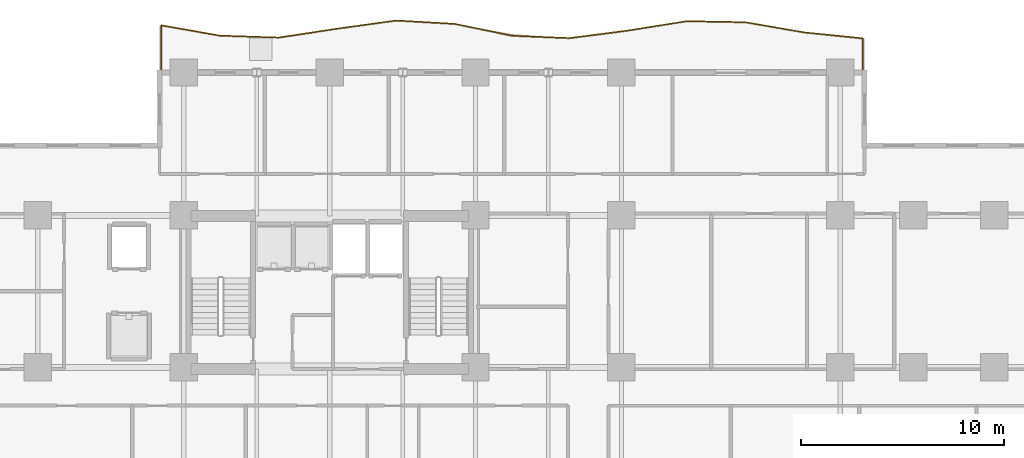
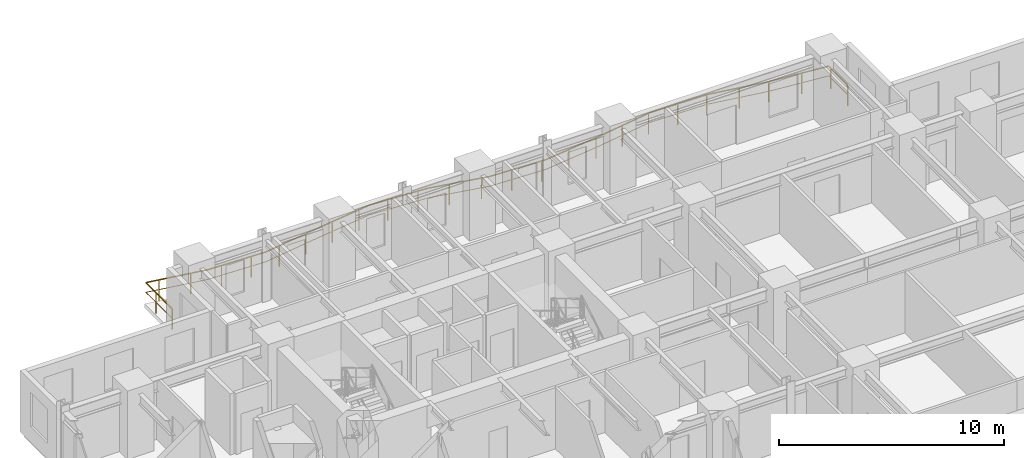
# One storey, part 11 of 12: 1 railing.
"""IFC4 building model written with IfcOpenShell, lengths in metres."""

from ifc_helpers import new_model, si_unit, direction, frame, origin, origin_2d, place, context, subcontext, project, spatial, rectangle, extrude, material, type_object, element, save


model = new_model("IFC4")

# Units and contexts
model_context = context("Model", 3, precision=1e-05, world=origin(), true_north=direction((0.0, 1.0)))
body_context = subcontext(model_context, "Body", "Model", "MODEL_VIEW")
ifc_project = project(units=[si_unit("LENGTHUNIT", "METRE"), si_unit("AREAUNIT", "SQUARE_METRE"), si_unit("VOLUMEUNIT", "CUBIC_METRE"), si_unit("PLANEANGLEUNIT", "RADIAN"), si_unit("MASSUNIT", "GRAM", prefix="KILO")], contexts=[model_context])

# Site, building, storey
site_placement = place(None, origin())
site = spatial("IfcSite", under=ifc_project, at=site_placement, CompositionType="ELEMENT")
building_placement = place(site_placement, origin())
building = spatial("IfcBuilding", under=site, at=building_placement, Name="Kaliganga Portal Commons", CompositionType="ELEMENT")
storey_placement = place(building_placement, frame((0.0, 0.0, 69.699951171875)))
storey = spatial("IfcBuildingStorey", under=building, at=storey_placement, Name="L17", CompositionType="ELEMENT", Elevation=69.699951171875)

# Railing
ifc_material = material(Name="Laminated Safety Glass and Stainless Steel 316", Category="steel")
railing_type = type_object("IfcRailingType", Name="RLG-BAL-1150", PredefinedType="BALUSTRADE", material=ifc_material)
railing_placement = place(storey_placement, frame((47.92041015625, 43.20849609375, 0.0)))
element("IfcRailing", 1, at=railing_placement, inside=storey, type_object=railing_type, Name="Balcony Guardrail L17 balc_north", PredefinedType="BALUSTRADE", context=body_context, shape_type="SweptSolid", body=[
    extrude(rectangle(XDim=0.048095703125, YDim=0.048095703125, at=origin_2d()), frame((0.0, 0.0, 1.1259765625), z_axis=(-0.000290866771, 0.999999957698, 0.0), x_axis=(-0.999999957698, -0.000290866771, 0.0)), (0.0, 0.0, 1.0), 1.6787109375),
    extrude(rectangle(XDim=0.028076171875, YDim=0.028076171875, at=origin_2d()), frame((0.0, 0.0, 0.597900390625), z_axis=(-0.000290866771, 0.999999957698, 0.0), x_axis=(-0.999999957698, -0.000290866771, 0.0)), (0.0, 0.0, 1.0), 1.6787109375),
    extrude(rectangle(XDim=0.048095703125, YDim=0.048095703125, at=origin_2d()), frame((-0.00048828125, 1.6787109375, 1.1259765625), z_axis=(-0.994834487762, 0.101510304695, 0.0), x_axis=(-0.101510304695, -0.994834487762, 0.0)), (0.0, 0.0, 1.0), 2.9150390625),
    extrude(rectangle(XDim=0.028076171875, YDim=0.028076171875, at=origin_2d()), frame((-0.00048828125, 1.6787109375, 0.597900390625), z_axis=(-0.994834487762, 0.101510304695, 0.0), x_axis=(-0.101510304695, -0.994834487762, 0.0)), (0.0, 0.0, 1.0), 2.9150390625),
    extrude(rectangle(XDim=0.048095703125, YDim=0.048095703125, at=origin_2d()), frame((-2.900390625, 1.974609375, 1.1259765625), z_axis=(-0.985375695281, 0.170395830789, 0.0), x_axis=(-0.170395830789, -0.985375695281, 0.0)), (0.0, 0.0, 1.0), 2.94287109375),
    extrude(rectangle(XDim=0.028076171875, YDim=0.028076171875, at=origin_2d()), frame((-2.900390625, 1.974609375, 0.597900390625), z_axis=(-0.985375695281, 0.170395830789, 0.0), x_axis=(-0.170395830789, -0.985375695281, 0.0)), (0.0, 0.0, 1.0), 2.94287109375),
    extrude(rectangle(XDim=0.048095703125, YDim=0.048095703125, at=origin_2d()), frame((-5.80029296875, 2.47607421875, 1.1259765625), z_axis=(-0.999836222748, 0.018097725871, 0.0), x_axis=(-0.018097725871, -0.999836222748, 0.0)), (0.0, 0.0, 1.0), 2.900390625),
    extrude(rectangle(XDim=0.028076171875, YDim=0.028076171875, at=origin_2d()), frame((-5.80029296875, 2.47607421875, 0.597900390625), z_axis=(-0.999836222748, 0.018097725871, 0.0), x_axis=(-0.018097725871, -0.999836222748, 0.0)), (0.0, 0.0, 1.0), 2.900390625),
    extrude(rectangle(XDim=0.048095703125, YDim=0.048095703125, at=origin_2d()), frame((-8.7001953125, 2.528564453125, 1.1259765625), z_axis=(-0.987448930145, -0.157938628443, 0.0), x_axis=(0.157938628443, -0.987448930145, 0.0)), (0.0, 0.0, 1.0), 2.93701171875),
    extrude(rectangle(XDim=0.028076171875, YDim=0.028076171875, at=origin_2d()), frame((-8.7001953125, 2.528564453125, 0.597900390625), z_axis=(-0.987448930145, -0.157938628443, 0.0), x_axis=(0.157938628443, -0.987448930145, 0.0)), (0.0, 0.0, 1.0), 2.93701171875),
    extrude(rectangle(XDim=0.048095703125, YDim=0.048095703125, at=origin_2d()), frame((-11.600341796875, 2.064697265625, 1.1259765625), z_axis=(-0.991827022196, -0.127589803832, 0.0), x_axis=(0.127589803832, -0.991827022196, 0.0)), (0.0, 0.0, 1.0), 2.923828125),
    extrude(rectangle(XDim=0.028076171875, YDim=0.028076171875, at=origin_2d()), frame((-11.600341796875, 2.064697265625, 0.597900390625), z_axis=(-0.991827022196, -0.127589803832, 0.0), x_axis=(0.127589803832, -0.991827022196, 0.0)), (0.0, 0.0, 1.0), 2.923828125),
    extrude(rectangle(XDim=0.048095703125, YDim=0.048095703125, at=origin_2d()), frame((-14.500244140625, 1.691650390625, 1.1259765625), z_axis=(-0.999119680054, 0.041950744076, 0.0), x_axis=(-0.041950744076, -0.999119680054, 0.0)), (0.0, 0.0, 1.0), 2.822509765625),
    extrude(rectangle(XDim=0.028076171875, YDim=0.028076171875, at=origin_2d()), frame((-14.500244140625, 1.691650390625, 0.597900390625), z_axis=(-0.999119680054, 0.041950744076, 0.0), x_axis=(-0.041950744076, -0.999119680054, 0.0)), (0.0, 0.0, 1.0), 2.822509765625),
    extrude(rectangle(XDim=0.048095703125, YDim=0.048095703125, at=origin_2d()), frame((-17.3203125, 1.81005859375, 1.1259765625), z_axis=(-0.979181519102, 0.202986582434, 0.0), x_axis=(-0.202986582434, -0.979181519102, 0.0)), (0.0, 0.0, 1.0), 2.8818359375),
    extrude(rectangle(XDim=0.028076171875, YDim=0.028076171875, at=origin_2d()), frame((-17.3203125, 1.81005859375, 0.597900390625), z_axis=(-0.979181519102, 0.202986582434, 0.0), x_axis=(-0.202986582434, -0.979181519102, 0.0)), (0.0, 0.0, 1.0), 2.8818359375),
    extrude(rectangle(XDim=0.048095703125, YDim=0.048095703125, at=origin_2d()), frame((-20.14208984375, 2.39501953125, 1.1259765625), z_axis=(-0.998349782206, 0.057425711744, 0.0), x_axis=(-0.057425711744, -0.998349782206, 0.0)), (0.0, 0.0, 1.0), 2.90380859375),
    extrude(rectangle(XDim=0.028076171875, YDim=0.028076171875, at=origin_2d()), frame((-20.14208984375, 2.39501953125, 0.597900390625), z_axis=(-0.998349782206, 0.057425711744, 0.0), x_axis=(-0.057425711744, -0.998349782206, 0.0)), (0.0, 0.0, 1.0), 2.90380859375),
    extrude(rectangle(XDim=0.048095703125, YDim=0.048095703125, at=origin_2d()), frame((-23.041015625, 2.561767578125, 1.1259765625), z_axis=(-0.990542717902, -0.137204679265, 0.0), x_axis=(0.137204679265, -0.990542717902, 0.0)), (0.0, 0.0, 1.0), 2.927001953125),
    extrude(rectangle(XDim=0.028076171875, YDim=0.028076171875, at=origin_2d()), frame((-23.041015625, 2.561767578125, 0.597900390625), z_axis=(-0.990542717902, -0.137204679265, 0.0), x_axis=(0.137204679265, -0.990542717902, 0.0)), (0.0, 0.0, 1.0), 2.927001953125),
    extrude(rectangle(XDim=0.048095703125, YDim=0.048095703125, at=origin_2d()), frame((-25.9404296875, 2.16015625, 1.1259765625), z_axis=(-0.98858813949, -0.150643587513, 0.0), x_axis=(0.150643587513, -0.98858813949, 0.0)), (0.0, 0.0, 1.0), 2.933349609375),
    extrude(rectangle(XDim=0.028076171875, YDim=0.028076171875, at=origin_2d()), frame((-25.9404296875, 2.16015625, 0.597900390625), z_axis=(-0.98858813949, -0.150643587513, 0.0), x_axis=(0.150643587513, -0.98858813949, 0.0)), (0.0, 0.0, 1.0), 2.933349609375),
    extrude(rectangle(XDim=0.048095703125, YDim=0.048095703125, at=origin_2d()), frame((-28.84033203125, 1.71826171875, 1.1259765625), z_axis=(-0.999442008432, 0.033401673318, 0.0), x_axis=(-0.033401673318, -0.999442008432, 0.0)), (0.0, 0.0, 1.0), 2.90185546875),
    extrude(rectangle(XDim=0.028076171875, YDim=0.028076171875, at=origin_2d()), frame((-28.84033203125, 1.71826171875, 0.597900390625), z_axis=(-0.999442008432, 0.033401673318, 0.0), x_axis=(-0.033401673318, -0.999442008432, 0.0)), (0.0, 0.0, 1.0), 2.90185546875),
    extrude(rectangle(XDim=0.048095703125, YDim=0.048095703125, at=origin_2d()), frame((-31.740478515625, 1.815185546875, 1.1259765625), z_axis=(-0.984785228068, 0.173775874561, 0.0), x_axis=(-0.173775874561, -0.984785228068, 0.0)), (0.0, 0.0, 1.0), 2.94482421875),
    extrude(rectangle(XDim=0.028076171875, YDim=0.028076171875, at=origin_2d()), frame((-31.740478515625, 1.815185546875, 0.597900390625), z_axis=(-0.984785228068, 0.173775874561, 0.0), x_axis=(-0.173775874561, -0.984785228068, 0.0)), (0.0, 0.0, 1.0), 2.94482421875),
    extrude(rectangle(XDim=0.048095703125, YDim=0.048095703125, at=origin_2d()), frame((-34.640380859375, 2.326904296875, 1.1259765625), z_axis=(-0.000209841565, -0.999999977983, 0.0), x_axis=(0.999999977983, -0.000209841565, 0.0)), (0.0, 0.0, 1.0), 2.326904296875),
    extrude(rectangle(XDim=0.028076171875, YDim=0.028076171875, at=origin_2d()), frame((-34.640380859375, 2.326904296875, 0.597900390625), z_axis=(-0.000209841565, -0.999999977983, 0.0), x_axis=(0.999999977983, -0.000209841565, 0.0)), (0.0, 0.0, 1.0), 2.326904296875),
    extrude(rectangle(XDim=0.0419921875, YDim=0.0419921875, at=origin_2d()), origin(), (0.0, 0.0, 1.0), 1.101806640625),
    extrude(rectangle(XDim=0.0419921875, YDim=0.0419921875, at=origin_2d()), frame((-0.00048828125, 1.5, 0.0)), (0.0, 0.0, 1.0), 1.101806640625),
    extrude(rectangle(XDim=0.0419921875, YDim=0.0419921875, at=origin_2d()), frame((-1.31494140625, 1.812744140625, 0.0)), (0.0, 0.0, 1.0), 1.101806640625),
    extrude(rectangle(XDim=0.0419921875, YDim=0.0419921875, at=origin_2d()), frame((-2.900390625, 1.974609375, 0.0)), (0.0, 0.0, 1.0), 1.101806640625),
    extrude(rectangle(XDim=0.0419921875, YDim=0.0419921875, at=origin_2d()), frame((-4.2861328125, 2.21435546875, 0.0)), (0.0, 0.0, 1.0), 1.101806640625),
    extrude(rectangle(XDim=0.0419921875, YDim=0.0419921875, at=origin_2d()), frame((-5.80029296875, 2.47607421875, 0.0)), (0.0, 0.0, 1.0), 1.101806640625),
    extrude(rectangle(XDim=0.0419921875, YDim=0.0419921875, at=origin_2d()), frame((-7.263427734375, 2.50244140625, 0.0)), (0.0, 0.0, 1.0), 1.101806640625),
    extrude(rectangle(XDim=0.0419921875, YDim=0.0419921875, at=origin_2d()), frame((-8.762451171875, 2.5185546875, 0.0)), (0.0, 0.0, 1.0), 1.101806640625),
    extrude(rectangle(XDim=0.0419921875, YDim=0.0419921875, at=origin_2d()), frame((-10.24365234375, 2.28173828125, 0.0)), (0.0, 0.0, 1.0), 1.101806640625),
    extrude(rectangle(XDim=0.0419921875, YDim=0.0419921875, at=origin_2d()), frame((-11.725341796875, 2.048583984375, 0.0)), (0.0, 0.0, 1.0), 1.101806640625),
    extrude(rectangle(XDim=0.0419921875, YDim=0.0419921875, at=origin_2d()), frame((-13.213134765625, 1.857177734375, 0.0)), (0.0, 0.0, 1.0), 1.101806640625),
    extrude(rectangle(XDim=0.0419921875, YDim=0.0419921875, at=origin_2d()), frame((-14.7021484375, 1.7001953125, 0.0)), (0.0, 0.0, 1.0), 1.101806640625),
    extrude(rectangle(XDim=0.0419921875, YDim=0.0419921875, at=origin_2d()), frame((-16.200927734375, 1.762939453125, 0.0)), (0.0, 0.0, 1.0), 1.101806640625),
    extrude(rectangle(XDim=0.0419921875, YDim=0.0419921875, at=origin_2d()), frame((-17.692138671875, 1.88720703125, 0.0)), (0.0, 0.0, 1.0), 1.101806640625),
    extrude(rectangle(XDim=0.0419921875, YDim=0.0419921875, at=origin_2d()), frame((-19.160888671875, 2.191650390625, 0.0)), (0.0, 0.0, 1.0), 1.101806640625),
    extrude(rectangle(XDim=0.0419921875, YDim=0.0419921875, at=origin_2d()), frame((-20.63916015625, 2.423583984375, 0.0)), (0.0, 0.0, 1.0), 1.101806640625),
    extrude(rectangle(XDim=0.0419921875, YDim=0.0419921875, at=origin_2d()), frame((-22.13671875, 2.509765625, 0.0)), (0.0, 0.0, 1.0), 1.101806640625),
    extrude(rectangle(XDim=0.0419921875, YDim=0.0419921875, at=origin_2d()), frame((-23.629638671875, 2.480224609375, 0.0)), (0.0, 0.0, 1.0), 1.101806640625),
    extrude(rectangle(XDim=0.0419921875, YDim=0.0419921875, at=origin_2d()), frame((-25.115478515625, 2.2744140625, 0.0)), (0.0, 0.0, 1.0), 1.101806640625),
    extrude(rectangle(XDim=0.0419921875, YDim=0.0419921875, at=origin_2d()), frame((-26.599853515625, 2.0595703125, 0.0)), (0.0, 0.0, 1.0), 1.101806640625),
    extrude(rectangle(XDim=0.0419921875, YDim=0.0419921875, at=origin_2d()), frame((-28.082763671875, 1.833740234375, 0.0)), (0.0, 0.0, 1.0), 1.101806640625),
    extrude(rectangle(XDim=0.0419921875, YDim=0.0419921875, at=origin_2d()), frame((-29.57373046875, 1.74267578125, 0.0)), (0.0, 0.0, 1.0), 1.101806640625),
    extrude(rectangle(XDim=0.0419921875, YDim=0.0419921875, at=origin_2d()), frame((-31.07275390625, 1.79296875, 0.0)), (0.0, 0.0, 1.0), 1.101806640625),
    extrude(rectangle(XDim=0.0419921875, YDim=0.0419921875, at=origin_2d()), frame((-32.559814453125, 1.959716796875, 0.0)), (0.0, 0.0, 1.0), 1.101806640625),
    extrude(rectangle(XDim=0.0419921875, YDim=0.0419921875, at=origin_2d()), frame((-34.036865234375, 2.220458984375, 0.0)), (0.0, 0.0, 1.0), 1.101806640625),
    extrude(rectangle(XDim=0.0419921875, YDim=0.0419921875, at=origin_2d()), frame((-34.640625, 1.439697265625, 0.0)), (0.0, 0.0, 1.0), 1.101806640625),
    extrude(rectangle(XDim=0.0419921875, YDim=0.0419921875, at=origin_2d()), frame((-34.640869140625, 0.0, 0.0)), (0.0, 0.0, 1.0), 1.101806640625),
])

save(model, "model.ifc")
